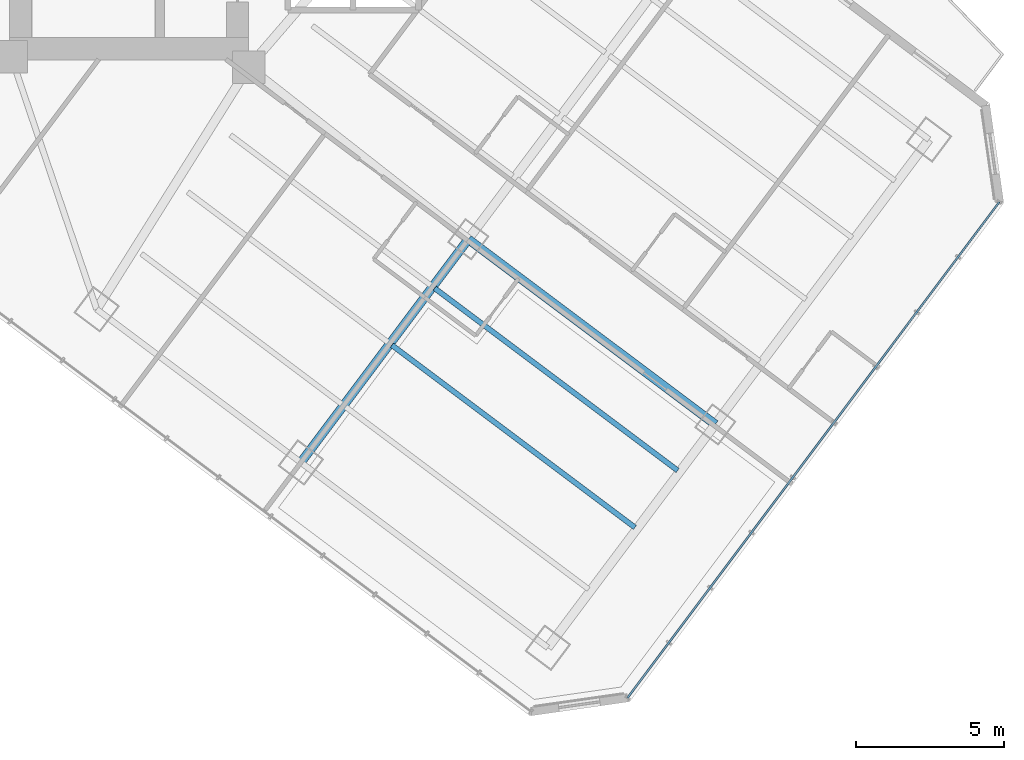
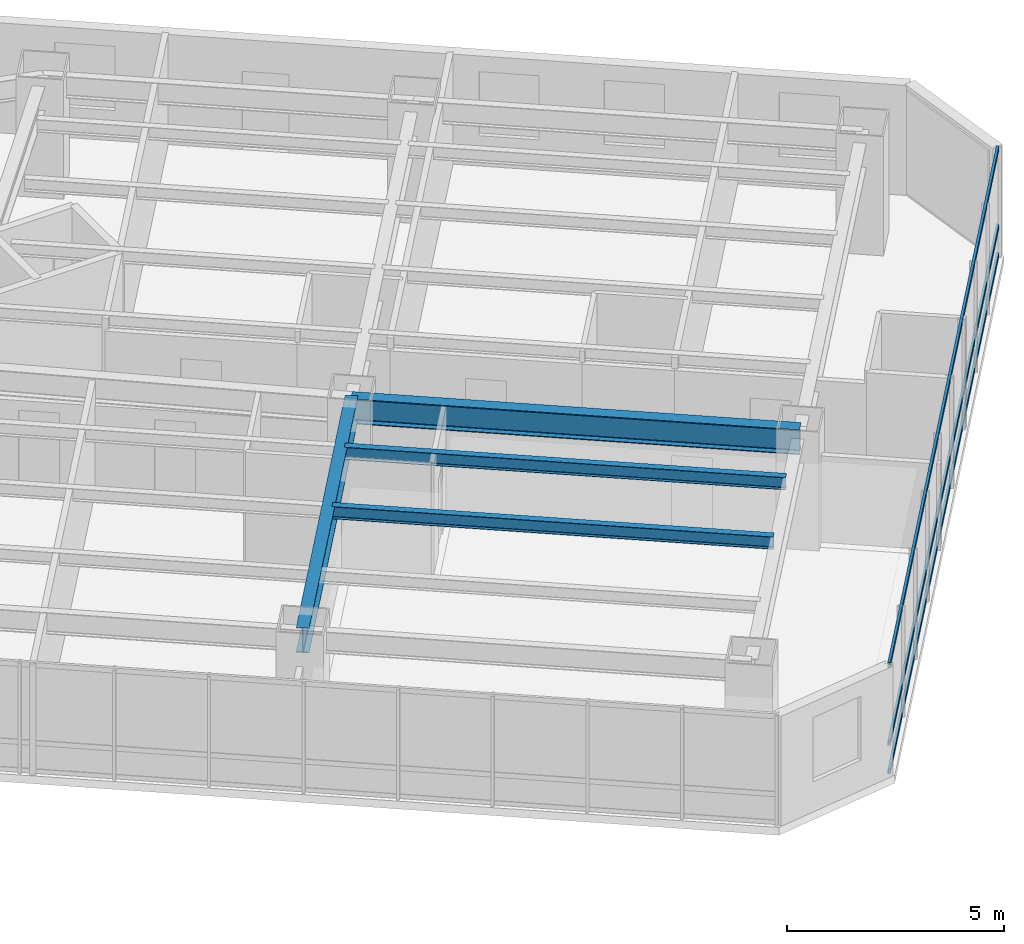
# One storey, part 15 of 39: 4 beams, 3 members, 1 element without a shape of its own.
"""IFC4 building model written with IfcOpenShell, lengths in metres."""

from ifc_helpers import new_model, si_unit, direction, frame, origin, origin_2d, place, context, subcontext, project, spatial, hollow_rectangle, i_section, extrude, material, layer, layer_set, material_profile, profile_set, type_object, element, aggregate, save


model = new_model("IFC4")

# Units and contexts
model_context = context("Model", 3, precision=1e-05, world=origin(), true_north=direction((0.0, 1.0)))
body_context = subcontext(model_context, "Body", "Model", "MODEL_VIEW")
ifc_project = project(units=[si_unit("LENGTHUNIT", "METRE"), si_unit("AREAUNIT", "SQUARE_METRE"), si_unit("VOLUMEUNIT", "CUBIC_METRE"), si_unit("PLANEANGLEUNIT", "RADIAN"), si_unit("MASSUNIT", "GRAM", prefix="KILO")], contexts=[model_context])

# Site, building, storey
site_placement = place(None, origin())
site = spatial("IfcSite", under=ifc_project, at=site_placement, CompositionType="ELEMENT")
building_placement = place(site_placement, origin())
building = spatial("IfcBuilding", under=site, at=building_placement, Name="Hatsunagi Terrace Concourse", CompositionType="ELEMENT")
storey_placement = place(building_placement, frame((0.0, 0.0, 66.75)))
storey = spatial("IfcBuildingStorey", under=building, at=storey_placement, Name="L17", CompositionType="ELEMENT", Elevation=66.75)

# Curtain wall, members
ifc_material_1 = material(Name="Anodised Aluminium Alloy 6063-T5", Category="aluminium")
ifc_layer = layer(ifc_material_1, 0.199951171875)
ifc_layer_set = layer_set([ifc_layer], Name="HotelFacade_CW02")
curtain_wall_type = type_object("IfcCurtainWallType", Name="HotelFacade_CW02", PredefinedType="NOTDEFINED", material=ifc_layer_set)
curtain_wall_placement = place(storey_placement, origin())
curtain_wall = element("IfcCurtainWall", 1, at=curtain_wall_placement, inside=storey, type_object=curtain_wall_type, Name="Unitised Curtain Wall CW-02 CW-L17-03", PredefinedType="NOTDEFINED")
ifc_material_2 = material(Name="Anodised Aluminium Alloy 6063-T5", Category="aluminium")
ifc_material_profile_1 = material_profile(ifc_material_2, hollow_rectangle(XDim=0.06494140625, YDim=0.139892578125, WallThickness=0.00390625, at=origin_2d()), Name="ALU-TRN-140x65x4")
ifc_profile_set_1 = profile_set([ifc_material_profile_1], Name="Anodised Aluminium Alloy 6063-T5")
member_type = type_object("IfcMemberType", Name="CurtainWallTransom_140x65", PredefinedType="USERDEFINED", material=ifc_profile_set_1)
member_1_placement = place(storey_placement, frame((69.093017578125, 19.657958984375, 0.050048828125), z_axis=(-0.599970072971, -0.800022444397, 0.0), x_axis=(0.800022444397, -0.599970072971, 0.0)))
member_1 = element("IfcMember", 2, at=member_1_placement, type_object=member_type, Name="Curtain Wall Transom TRN-02", ObjectType="TRANSOM", PredefinedType="USERDEFINED", context=body_context, shape_type="SweptSolid", body=[
    extrude(hollow_rectangle(XDim=0.06494140625, YDim=0.139892578125, WallThickness=0.00390625, at=origin_2d()), origin(), (0.0, 0.0, 1.0), 20.884521484375),
])
member_2_placement = place(storey_placement, frame((69.093017578125, 19.657958984375, 0.85009765625), z_axis=(-0.599970072971, -0.800022444397, 0.0), x_axis=(0.800022444397, -0.599970072971, 0.0)))
member_2 = element("IfcMember", 3, at=member_2_placement, type_object=member_type, Name="Curtain Wall Transom TRN-02", ObjectType="TRANSOM", PredefinedType="USERDEFINED", context=body_context, shape_type="SweptSolid", body=[
    extrude(hollow_rectangle(XDim=0.06494140625, YDim=0.139892578125, WallThickness=0.00390625, at=origin_2d()), origin(), (0.0, 0.0, 1.0), 20.884521484375),
])
member_3_placement = place(storey_placement, frame((69.093017578125, 19.657958984375, 3.0400390625), z_axis=(-0.599970072971, -0.800022444397, 0.0), x_axis=(0.800022444397, -0.599970072971, 0.0)))
member_3 = element("IfcMember", 4, at=member_3_placement, type_object=member_type, Name="Curtain Wall Transom TRN-02", ObjectType="TRANSOM", PredefinedType="USERDEFINED", context=body_context, shape_type="SweptSolid", body=[
    extrude(hollow_rectangle(XDim=0.06494140625, YDim=0.139892578125, WallThickness=0.00390625, at=origin_2d()), origin(), (0.0, 0.0, 1.0), 20.884521484375),
])
aggregate(curtain_wall, [member_1, member_2, member_3])

# Beams
ifc_material_3 = material(Name="Steel SN490B", Category="steel")
ifc_material_profile_2 = material_profile(ifc_material_3, i_section(OverallWidth=0.300048828125, OverallDepth=0.699951171875, WebThickness=0.012939453125, FlangeThickness=0.02392578125, FilletRadius=0.02197265625, at=origin_2d()), Name="H-700x300x13x24")
ifc_profile_set_2 = profile_set([ifc_material_profile_2], Name="Steel SN490B")
beam_type_1 = type_object("IfcBeamType", Name="HotelFloorGirder_H_700x300", PredefinedType="BEAM", material=ifc_profile_set_2)
beam_1_placement = place(storey_placement, frame((45.56005859375, 10.8798828125, 2.780029296875), z_axis=(0.599991688754, 0.800006233367, 0.0), x_axis=(-0.800006233367, 0.599991688754, 0.0)))
element("IfcBeam", 5, at=beam_1_placement, inside=storey, type_object=beam_type_1, Name="Beam G-04 BM-L17-SET-2A", PredefinedType="BEAM", context=body_context, shape_type="SweptSolid", body=[
    extrude(i_section(OverallWidth=0.300048828125, OverallDepth=0.699951171875, WebThickness=0.012939453125, FlangeThickness=0.02392578125, FilletRadius=0.02197265625, at=origin_2d()), origin(), (0.0, 0.0, 1.0), 9.39990234375),
])
beam_2_placement = place(storey_placement, frame((51.199951171875, 18.39990234375, 2.780029296875), z_axis=(0.800002816985, -0.599996244001, 0.0), x_axis=(0.599996244001, 0.800002816985, 0.0)))
element("IfcBeam", 6, at=beam_2_placement, inside=storey, type_object=beam_type_1, Name="Beam G-04 BM-L17-SE-M3", PredefinedType="BEAM", context=body_context, shape_type="SweptSolid", body=[
    extrude(i_section(OverallWidth=0.300048828125, OverallDepth=0.699951171875, WebThickness=0.012939453125, FlangeThickness=0.02392578125, FilletRadius=0.02197265625, at=origin_2d()), origin(), (0.0, 0.0, 1.0), 10.400146484375),
])
ifc_material_4 = material(Name="Steel SN490B", Category="steel")
ifc_material_profile_3 = material_profile(ifc_material_4, i_section(OverallWidth=0.175048828125, OverallDepth=0.35009765625, WebThickness=0.007080078125, FlangeThickness=0.010986328125, FilletRadius=0.012939453125, at=origin_2d()), Name="H-350x175x7x11")
ifc_profile_set_3 = profile_set([ifc_material_profile_3], Name="Steel SN490B")
beam_type_2 = type_object("IfcBeamType", Name="HotelJoist_H_350x175", PredefinedType="JOIST", material=ifc_profile_set_3)
beam_3_placement = place(storey_placement, frame((48.6279296875, 14.8291015625, 2.955078125), z_axis=(0.799994272423, -0.600007636694, 0.0), x_axis=(0.600007636694, 0.799994272423, 0.0)))
element("IfcBeam", 7, at=beam_3_placement, inside=storey, type_object=beam_type_2, Name="Beam J-02 J-L17-SE-3-72", PredefinedType="JOIST", context=body_context, shape_type="SweptSolid", body=[
    extrude(i_section(OverallWidth=0.175048828125, OverallDepth=0.35009765625, WebThickness=0.007080078125, FlangeThickness=0.010986328125, FilletRadius=0.012939453125, at=origin_2d()), origin(), (0.0, 0.0, 1.0), 10.230224609375),
])
beam_4_placement = place(storey_placement, frame((50.068115234375, 16.7490234375, 2.955078125), z_axis=(0.799997136125, -0.600003818481, 0.0), x_axis=(0.600003818481, 0.799997136125, 0.0)))
element("IfcBeam", 8, at=beam_4_placement, inside=storey, type_object=beam_type_2, Name="Beam J-02 J-L17-SE-3-96", PredefinedType="JOIST", context=body_context, shape_type="SweptSolid", body=[
    extrude(i_section(OverallWidth=0.175048828125, OverallDepth=0.35009765625, WebThickness=0.007080078125, FlangeThickness=0.010986328125, FilletRadius=0.012939453125, at=origin_2d()), origin(), (0.0, 0.0, 1.0), 10.229736328125),
])

save(model, "model.ifc")
